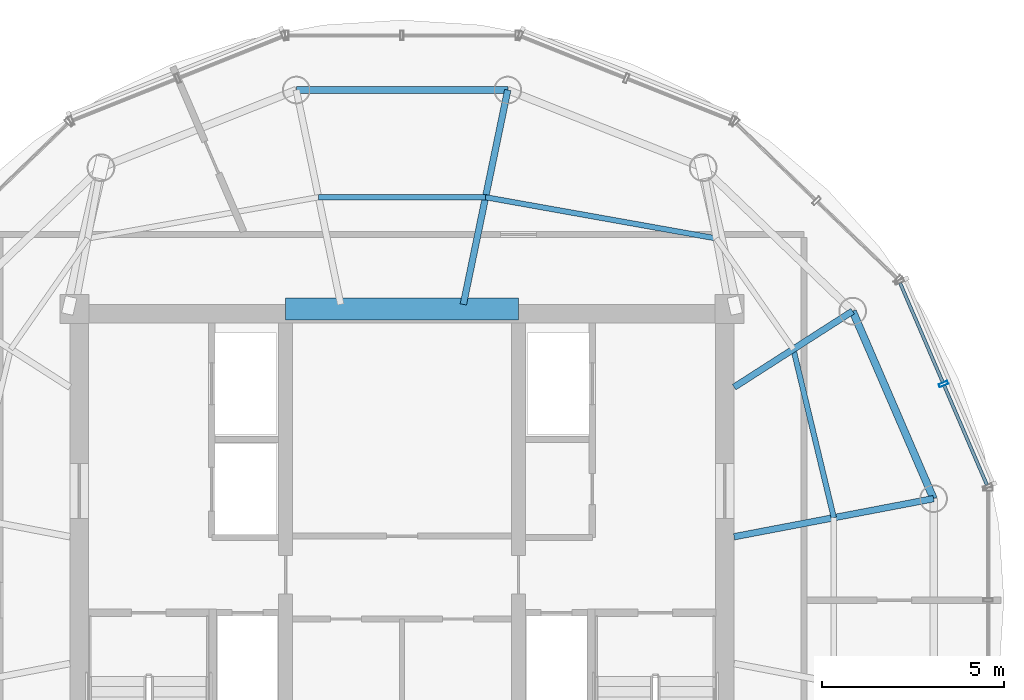
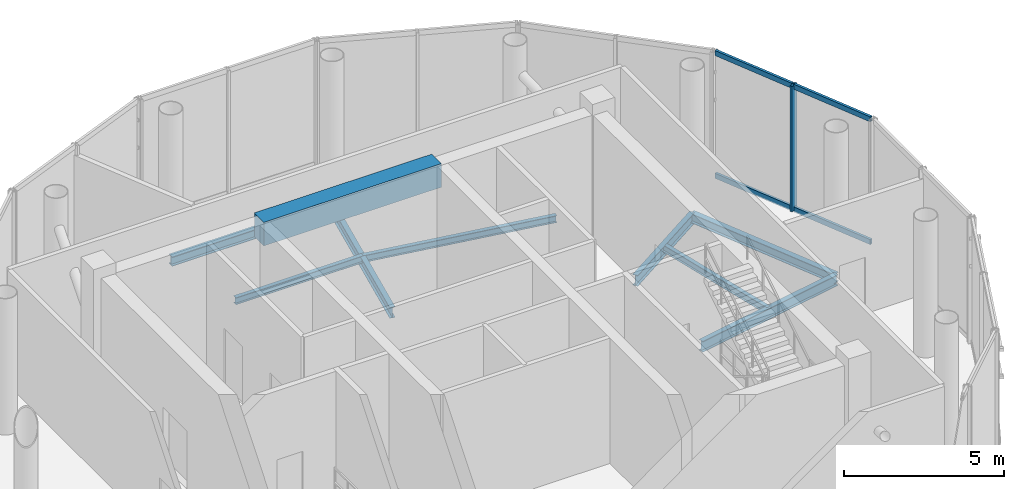
# One storey, part 7 of 14: 9 beams, 5 members, 1 element without a shape of its own.
"""IFC4 building model written with IfcOpenShell, lengths in metres."""

from ifc_helpers import new_model, si_unit, direction, frame, origin, origin_2d, place, context, subcontext, project, spatial, rectangle, hollow_rectangle, i_section, extrude, source, transform, mapped, material, material_profile, profile_set, type_object, element, aggregate, save


model = new_model("IFC4")

# Units and contexts
model_context = context("Model", 3, precision=1e-05, world=origin(), true_north=direction((-0.2419218956, 0.970295726276)))
body_context = subcontext(model_context, "Body", "Model", "MODEL_VIEW")
ifc_project = project(units=[si_unit("LENGTHUNIT", "METRE"), si_unit("AREAUNIT", "SQUARE_METRE"), si_unit("VOLUMEUNIT", "CUBIC_METRE"), si_unit("PLANEANGLEUNIT", "RADIAN"), si_unit("MASSUNIT", "GRAM", prefix="KILO")], contexts=[model_context])

# Site, building, storey
site_placement = place(None, origin())
site = spatial("IfcSite", under=ifc_project, at=site_placement, CompositionType="ELEMENT")
building_placement = place(site_placement, origin())
building = spatial("IfcBuilding", under=site, at=building_placement, Name="Cobrevalo Terracotta Tower", CompositionType="ELEMENT")
storey_placement = place(building_placement, frame((0.0, 0.0, 326.89990234375)))
storey = spatial("IfcBuildingStorey", under=building, at=storey_placement, Name="L84", CompositionType="ELEMENT", Elevation=326.89990234375)

# Beams
ifc_material_1 = material(Name="Concrete C60", Category="concrete")
ifc_material_profile_1 = material_profile(ifc_material_1, rectangle(XDim=0.60009765625, YDim=0.89990234375, at=origin_2d()), Name="RC CB 600x900")
ifc_profile_set_1 = profile_set([ifc_material_profile_1], Name="Concrete C60")
beam_type_1 = type_object("IfcBeamType", Name="Structural Beam RC CB 600x900 (Concrete C60)", PredefinedType="BEAM", material=ifc_profile_set_1)
beam_1_placement = place(storey_placement, frame((34.800048828125, 34.800048828125, 4.330078125), z_axis=(1.0, 0.0, 0.0), x_axis=(0.0, 1.0, 0.0)))
element("IfcBeam", 1, at=beam_1_placement, inside=storey, type_object=beam_type_1, Name="L84 core coupling beam 2", PredefinedType="BEAM", context=body_context, shape_type="SweptSolid", body=[
    extrude(rectangle(XDim=0.60009765625, YDim=0.89990234375, at=origin_2d()), origin(), (0.0, 0.0, 1.0), 6.39990234375),
])
ifc_material_2 = material(Name="Steel S355", Category="steel")
ifc_material_profile_2 = material_profile(ifc_material_2, i_section(OverallWidth=0.179931640625, OverallDepth=0.4130859375, WebThickness=0.009765625, FlangeThickness=0.01611328125, at=origin_2d()), Name="W 410x75")
ifc_profile_set_2 = profile_set([ifc_material_profile_2], Name="Steel S355")
beam_type_2 = type_object("IfcBeamType", Name="Structural Beam W 410x75 (Steel S355)", PredefinedType="BEAM", material=ifc_profile_set_2)
beam_2_placement = place(storey_placement, frame((52.61376953125, 29.58984375, -0.62646484375), z_axis=(-0.982261932892, -0.187513986655, 0.0), x_axis=(0.187513986655, -0.982261932892, 0.0)))
element("IfcBeam", 2, at=beam_2_placement, inside=storey, type_object=beam_type_2, Name="L84 radial floor girder 01", PredefinedType="BEAM", context=body_context, shape_type="SweptSolid", body=[
    extrude(i_section(OverallWidth=0.179931640625, OverallDepth=0.4130859375, WebThickness=0.009765625, FlangeThickness=0.01611328125, at=origin_2d()), origin(), (0.0, 0.0, 1.0), 5.5830078125),
])
beam_3_placement = place(storey_placement, frame((50.388916015625, 34.74462890625, -0.62646484375), z_axis=(-0.841794646381, -0.539797900444, 0.0), x_axis=(0.539797900444, -0.841794646381, 0.0)))
element("IfcBeam", 3, at=beam_3_placement, inside=storey, type_object=beam_type_2, Name="L84 radial floor girder 02", PredefinedType="BEAM", context=body_context, shape_type="SweptSolid", body=[
    extrude(i_section(OverallWidth=0.179931640625, OverallDepth=0.4130859375, WebThickness=0.009765625, FlangeThickness=0.01611328125, at=origin_2d()), origin(), (0.0, 0.0, 1.0), 3.87158203125),
])
beam_4_placement = place(storey_placement, frame((40.90673828125, 40.8251953125, -0.62646484375), z_axis=(-0.202919370173, -0.979195449953, 0.0), x_axis=(0.979195449953, -0.202919370173, 0.0)))
element("IfcBeam", 4, at=beam_4_placement, inside=storey, type_object=beam_type_2, Name="L84 radial floor girder 04", PredefinedType="BEAM", context=body_context, shape_type="SweptSolid", body=[
    extrude(i_section(OverallWidth=0.179931640625, OverallDepth=0.4130859375, WebThickness=0.009765625, FlangeThickness=0.01611328125, at=origin_2d()), origin(), (0.0, 0.0, 1.0), 6.0205078125),
])
ifc_material_profile_3 = material_profile(ifc_material_2, i_section(OverallWidth=0.14794921875, OverallDepth=0.26611328125, WebThickness=0.007568359375, FlangeThickness=0.012939453125, at=origin_2d()), Name="W 250x44.8")
ifc_profile_set_3 = profile_set([ifc_material_profile_3], Name="Steel S355")
beam_type_3 = type_object("IfcBeamType", Name="Structural Joist W 250x44.8 (Steel S355)", PredefinedType="JOIST", material=ifc_profile_set_3)
beam_5_placement = place(storey_placement, frame((49.871826171875, 29.06640625, -0.552978515625), z_axis=(-0.233434963284, 0.972372417295, 0.0), x_axis=(-0.972372417295, -0.233434963284, 0.0)))
element("IfcBeam", 5, at=beam_5_placement, inside=storey, type_object=beam_type_3, Name="L84 circumferential secondary floor joist 01", PredefinedType="JOIST", context=body_context, shape_type="SweptSolid", body=[
    extrude(i_section(OverallWidth=0.14794921875, OverallDepth=0.26611328125, WebThickness=0.007568359375, FlangeThickness=0.012939453125, at=origin_2d()), origin(), (0.0, 0.0, 1.0), 4.764892578125),
])
beam_6_placement = place(storey_placement, frame((46.638916015625, 36.7451171875, -0.552978515625), z_axis=(-0.984430619707, 0.175773590117, 0.0), x_axis=(-0.175773590117, -0.984430619707, 0.0)))
element("IfcBeam", 6, at=beam_6_placement, inside=storey, type_object=beam_type_3, Name="L84 circumferential secondary floor joist 03", PredefinedType="JOIST", context=body_context, shape_type="SweptSolid", body=[
    extrude(i_section(OverallWidth=0.14794921875, OverallDepth=0.26611328125, WebThickness=0.007568359375, FlangeThickness=0.012939453125, at=origin_2d()), origin(), (0.0, 0.0, 1.0), 6.443359375),
])
beam_7_placement = place(storey_placement, frame((40.2958984375, 37.877685546875, -0.552978515625), z_axis=(-1.0, 0.0, 0.0), x_axis=(0.0, -1.0, 0.0)))
element("IfcBeam", 7, at=beam_7_placement, inside=storey, type_object=beam_type_3, Name="L84 circumferential secondary floor joist 04", PredefinedType="JOIST", context=body_context, shape_type="SweptSolid", body=[
    extrude(i_section(OverallWidth=0.14794921875, OverallDepth=0.26611328125, WebThickness=0.007568359375, FlangeThickness=0.012939453125, at=origin_2d()), origin(), (0.0, 0.0, 1.0), 4.591796875),
])
ifc_material_profile_4 = material_profile(ifc_material_2, i_section(OverallWidth=0.205078125, OverallDepth=0.35400390625, WebThickness=0.009521484375, FlangeThickness=0.016845703125, at=origin_2d()), Name="W 360x79")
ifc_profile_set_4 = profile_set([ifc_material_profile_4], Name="Steel S355")
beam_type_4 = type_object("IfcBeamType", Name="Structural Spandrel W 360x79 (Steel S355)", PredefinedType="SPANDREL", material=ifc_profile_set_4)
beam_8_placement = place(storey_placement, frame((52.61376953125, 29.58984375, -0.596923828125), z_axis=(-0.396274415101, 0.918132118999, 0.0), x_axis=(-0.918132118999, -0.396274415101, 0.0)))
element("IfcBeam", 8, at=beam_8_placement, inside=storey, type_object=beam_type_4, Name="L84 perimeter ring spandrel 01", PredefinedType="SPANDREL", context=body_context, shape_type="SweptSolid", body=[
    extrude(i_section(OverallWidth=0.205078125, OverallDepth=0.35400390625, WebThickness=0.009521484375, FlangeThickness=0.016845703125, at=origin_2d()), origin(), (0.0, 0.0, 1.0), 5.614501953125),
])
beam_9_placement = place(storey_placement, frame((40.90673828125, 40.8251953125, -0.596923828125), z_axis=(-1.0, 0.0, 0.0), x_axis=(0.0, -1.0, 0.0)))
element("IfcBeam", 9, at=beam_9_placement, inside=storey, type_object=beam_type_4, Name="L84 perimeter ring spandrel 04", PredefinedType="SPANDREL", context=body_context, shape_type="SweptSolid", body=[
    extrude(i_section(OverallWidth=0.205078125, OverallDepth=0.35400390625, WebThickness=0.009521484375, FlangeThickness=0.016845703125, at=origin_2d()), origin(), (0.0, 0.0, 1.0), 5.8134765625),
])

# Curtain wall, members
ifc_material_3 = material(Name="Anodized aluminium", Category="aluminium")
curtain_wall_type = type_object("IfcCurtainWallType", Name="Faceted glass-point crown structural glazing system CW-CR", PredefinedType="NOTDEFINED", material=ifc_material_3)
curtain_wall_placement = place(storey_placement, origin())
curtain_wall = element("IfcCurtainWall", 10, at=curtain_wall_placement, inside=storey, type_object=curtain_wall_type, Name="L84 curtain wall CW-CRN-L84-S01", PredefinedType="NOTDEFINED")
ifc_material_profile_5 = material_profile(ifc_material_3, hollow_rectangle(XDim=0.090087890625, YDim=0.260009765625, WallThickness=0.006103515625, at=origin_2d()), Name="CWM 90x260")
ifc_profile_set_5 = profile_set([ifc_material_profile_5], Name="Anodized aluminium")
member_type_1 = type_object("IfcMemberType", Name="Crown structural glass mullion 90x260", PredefinedType="MULLION", material=ifc_profile_set_5)
shared_shape_1 = source(origin(), body_context, "Body", "SweptSolid", [
    extrude(hollow_rectangle(XDim=0.090087890625, YDim=0.260009765625, WallThickness=0.006103515625, at=origin_2d()), origin(), (0.0, 0.0, 1.0), 4.780029296875),
])
member_1_placement = place(storey_placement, frame((52.8876953125, 32.741455078125, 0.0), z_axis=(0.0, 0.0, 1.0), x_axis=(-0.394968347643, 0.918694728602, 0.0)))
member_1 = element("IfcMember", 11, at=member_1_placement, type_object=member_type_1, Name="CW-CRN-L84-S01 vertical mullion 02", PredefinedType="MULLION", context=body_context, shape_type="MappedRepresentation", body=[
    mapped(shared_shape_1, transform((0.0, 0.0, 0.0), scale=1.0)),
])
ifc_material_profile_6 = material_profile(ifc_material_3, hollow_rectangle(XDim=0.090087890625, YDim=0.195068359375, WallThickness=0.005615234375, at=origin_2d()), Name="CWT 90x195")
ifc_profile_set_6 = profile_set([ifc_material_profile_6], Name="Anodized aluminium")
member_type_2 = type_object("IfcMemberType", Name="Crown structural aluminium transom 90x195", PredefinedType="USERDEFINED", material=ifc_profile_set_6)
shared_shape_2 = source(origin(), body_context, "Body", "SweptSolid", [
    extrude(hollow_rectangle(XDim=0.090087890625, YDim=0.195068359375, WallThickness=0.005615234375, at=origin_2d()), origin(), (0.0, 0.0, 1.0), 2.98583984375),
])
member_2_placement = place(storey_placement, frame((54.082763671875, 29.961669921875, 0.050048828125), z_axis=(-0.394925619427, 0.918713097284, 0.0), x_axis=(-0.918713097284, -0.394925619427, 0.0)))
member_2 = element("IfcMember", 12, at=member_2_placement, type_object=member_type_2, Name="CW-CRN-L84-S01 transom B01-T1", ObjectType="TRANSOM", PredefinedType="USERDEFINED", context=body_context, shape_type="MappedRepresentation", body=[
    mapped(shared_shape_2, transform((0.0, 0.0, 0.0), scale=1.0)),
])
member_3_placement = place(storey_placement, frame((54.082763671875, 29.961669921875, 4.72998046875), z_axis=(-0.394925619427, 0.918713097284, 0.0), x_axis=(-0.918713097284, -0.394925619427, 0.0)))
member_3 = element("IfcMember", 13, at=member_3_placement, type_object=member_type_2, Name="CW-CRN-L84-S01 transom B01-T2", ObjectType="TRANSOM", PredefinedType="USERDEFINED", context=body_context, shape_type="MappedRepresentation", body=[
    mapped(shared_shape_2, transform((0.0, 0.0, 0.0), scale=1.0)),
])
shared_shape_3 = source(origin(), body_context, "Body", "SweptSolid", [
    extrude(hollow_rectangle(XDim=0.090087890625, YDim=0.195068359375, WallThickness=0.005615234375, at=origin_2d()), origin(), (0.0, 0.0, 1.0), 2.985595703125),
])
member_4_placement = place(storey_placement, frame((52.871826171875, 32.7783203125, 0.050048828125), z_axis=(-0.39495528775, 0.918700343245, 0.0), x_axis=(-0.918700343245, -0.39495528775, 0.0)))
member_4 = element("IfcMember", 14, at=member_4_placement, type_object=member_type_2, Name="CW-CRN-L84-S01 transom B02-T1", ObjectType="TRANSOM", PredefinedType="USERDEFINED", context=body_context, shape_type="MappedRepresentation", body=[
    mapped(shared_shape_3, transform((0.0, 0.0, 0.0), scale=1.0)),
])
member_5_placement = place(storey_placement, frame((52.871826171875, 32.7783203125, 4.72998046875), z_axis=(-0.39495528775, 0.918700343245, 0.0), x_axis=(-0.918700343245, -0.39495528775, 0.0)))
member_5 = element("IfcMember", 15, at=member_5_placement, type_object=member_type_2, Name="CW-CRN-L84-S01 transom B02-T2", ObjectType="TRANSOM", PredefinedType="USERDEFINED", context=body_context, shape_type="MappedRepresentation", body=[
    mapped(shared_shape_3, transform((0.0, 0.0, 0.0), scale=1.0)),
])
aggregate(curtain_wall, [member_1, member_2, member_3, member_4, member_5])

save(model, "model.ifc")
